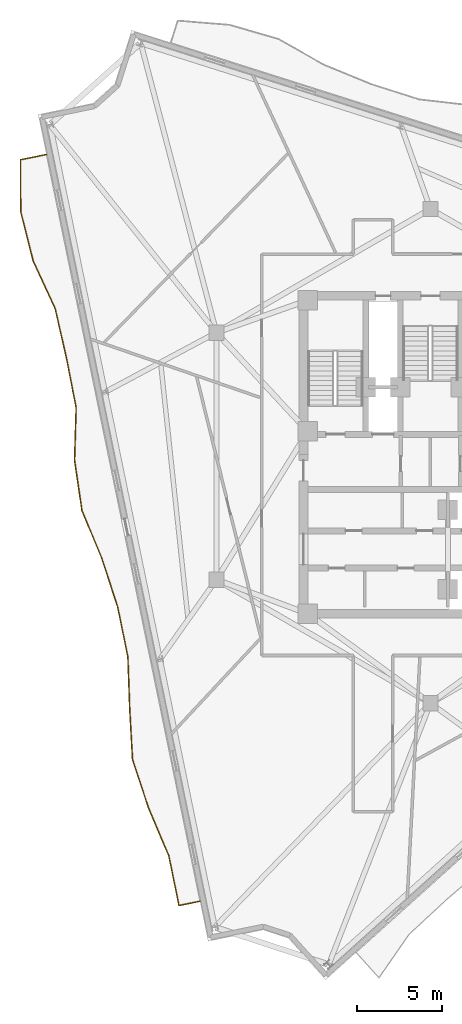
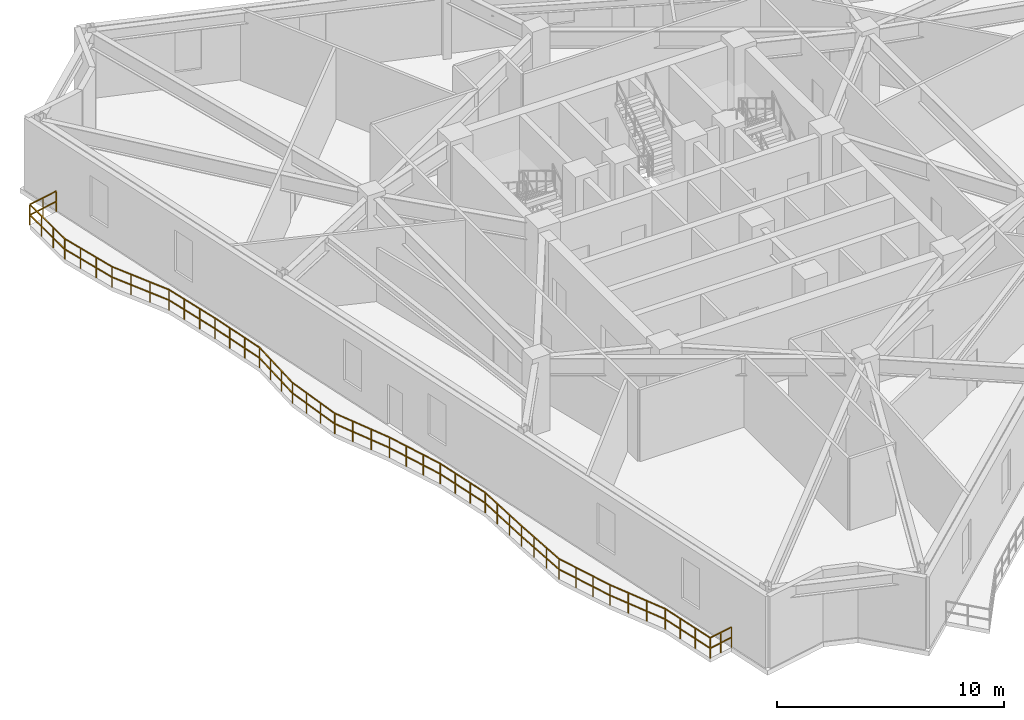
# One storey, part 9 of 12: 1 railing.
"""IFC4 building model written with IfcOpenShell, lengths in metres."""

from ifc_helpers import new_model, si_unit, direction, frame, origin, origin_2d, place, context, subcontext, project, spatial, rectangle, extrude, material, type_object, element, save


model = new_model("IFC4")

# Units and contexts
model_context = context("Model", 3, precision=1e-05, world=origin(), true_north=direction((0.0, 1.0)))
body_context = subcontext(model_context, "Body", "Model", "MODEL_VIEW")
ifc_project = project(units=[si_unit("LENGTHUNIT", "METRE"), si_unit("AREAUNIT", "SQUARE_METRE"), si_unit("VOLUMEUNIT", "CUBIC_METRE"), si_unit("PLANEANGLEUNIT", "RADIAN"), si_unit("MASSUNIT", "GRAM", prefix="KILO")], contexts=[model_context])

# Site, building, storey
site_placement = place(None, origin())
site = spatial("IfcSite", under=ifc_project, at=site_placement, CompositionType="ELEMENT")
building_placement = place(site_placement, origin())
building = spatial("IfcBuilding", under=site, at=building_placement, Name="Apsidion Concourse Tower", CompositionType="ELEMENT")
storey_placement = place(building_placement, frame((0.0, 0.0, 240.39990234375)))
storey = spatial("IfcBuildingStorey", under=building, at=storey_placement, Name="L56", CompositionType="ELEMENT", Elevation=240.39990234375)

# Railing
ifc_material = material(Name="Brushed stainless steel 316", Category="steel")
railing_type = type_object("IfcRailingType", Name="RL-BAL-1120", PredefinedType="BALUSTRADE", material=ifc_material)
railing_placement = place(storey_placement, frame((-13.5322265625, -26.12451171875, 0.0)))
element("IfcRailing", 1, at=railing_placement, inside=storey, type_object=railing_type, Name="L56 Face 1 Rippling Balcony Balustrade", PredefinedType="BALUSTRADE", context=body_context, shape_type="SweptSolid", body=[
    extrude(rectangle(XDim=0.048095703125, YDim=0.048095703125, at=origin_2d()), frame((0.0, 0.0, 1.09619140625), z_axis=(-0.979476326586, -0.201559236099, 0.0), x_axis=(0.201559236099, -0.979476326586, 0.0)), (0.0, 0.0, 1.0), 1.25),
    extrude(rectangle(XDim=0.048095703125, YDim=0.048095703125, at=origin_2d()), frame((0.0, 0.0, 0.5361328125), z_axis=(-0.979476326586, -0.201559236099, 0.0), x_axis=(0.201559236099, -0.979476326586, 0.0)), (0.0, 0.0, 1.0), 1.25),
    extrude(rectangle(XDim=0.048095703125, YDim=0.048095703125, at=origin_2d()), frame((-1.224365234375, -0.251953125, 1.09619140625), z_axis=(-0.201495889419, 0.979489360099, 0.0), x_axis=(-0.979489360099, -0.201495889419, 0.0)), (0.0, 0.0, 1.0), 2.983154296875),
    extrude(rectangle(XDim=0.048095703125, YDim=0.048095703125, at=origin_2d()), frame((-1.224365234375, -0.251953125, 0.5361328125), z_axis=(-0.201495889419, 0.979489360099, 0.0), x_axis=(-0.979489360099, -0.201495889419, 0.0)), (0.0, 0.0, 1.0), 2.983154296875),
    extrude(rectangle(XDim=0.048095703125, YDim=0.048095703125, at=origin_2d()), frame((-1.825439453125, 2.669921875, 1.09619140625), z_axis=(-0.390527179771, 0.920591397885, 0.0), x_axis=(-0.920591397885, -0.390527179771, 0.0)), (0.0, 0.0, 1.0), 3.042724609375),
    extrude(rectangle(XDim=0.048095703125, YDim=0.048095703125, at=origin_2d()), frame((-1.825439453125, 2.669921875, 0.5361328125), z_axis=(-0.390527179771, 0.920591397885, 0.0), x_axis=(-0.920591397885, -0.390527179771, 0.0)), (0.0, 0.0, 1.0), 3.042724609375),
    extrude(rectangle(XDim=0.048095703125, YDim=0.048095703125, at=origin_2d()), frame((-3.013671875, 5.470947265625, 1.09619140625), z_axis=(-0.313617157978, 0.949549513307, 0.0), x_axis=(-0.949549513307, -0.313617157978, 0.0)), (0.0, 0.0, 1.0), 3.00341796875),
    extrude(rectangle(XDim=0.048095703125, YDim=0.048095703125, at=origin_2d()), frame((-3.013671875, 5.470947265625, 0.5361328125), z_axis=(-0.313617157978, 0.949549513307, 0.0), x_axis=(-0.949549513307, -0.313617157978, 0.0)), (0.0, 0.0, 1.0), 3.00341796875),
    extrude(rectangle(XDim=0.048095703125, YDim=0.048095703125, at=origin_2d()), frame((-3.95556640625, 8.32275390625, 1.09619140625), z_axis=(-0.055044107679, 0.998483923861, 0.0), x_axis=(-0.998483923861, -0.055044107679, 0.0)), (0.0, 0.0, 1.0), 3.01611328125),
    extrude(rectangle(XDim=0.048095703125, YDim=0.048095703125, at=origin_2d()), frame((-3.95556640625, 8.32275390625, 0.5361328125), z_axis=(-0.055044107679, 0.998483923861, 0.0), x_axis=(-0.998483923861, -0.055044107679, 0.0)), (0.0, 0.0, 1.0), 3.01611328125),
    extrude(rectangle(XDim=0.048095703125, YDim=0.048095703125, at=origin_2d()), frame((-4.12158203125, 11.334228515625, 1.09619140625), z_axis=(-0.035429571599, 0.999372175646, 0.0), x_axis=(-0.999372175646, -0.035429571599, 0.0)), (0.0, 0.0, 1.0), 3.025146484375),
    extrude(rectangle(XDim=0.048095703125, YDim=0.048095703125, at=origin_2d()), frame((-4.12158203125, 11.334228515625, 0.5361328125), z_axis=(-0.035429571599, 0.999372175646, 0.0), x_axis=(-0.999372175646, -0.035429571599, 0.0)), (0.0, 0.0, 1.0), 3.025146484375),
    extrude(rectangle(XDim=0.048095703125, YDim=0.048095703125, at=origin_2d()), frame((-4.228759765625, 14.357421875, 1.09619140625), z_axis=(-0.201417367965, 0.979505509878, 0.0), x_axis=(-0.979505509878, -0.201417367965, 0.0)), (0.0, 0.0, 1.0), 2.98291015625),
    extrude(rectangle(XDim=0.048095703125, YDim=0.048095703125, at=origin_2d()), frame((-4.228759765625, 14.357421875, 0.5361328125), z_axis=(-0.201417367965, 0.979505509878, 0.0), x_axis=(-0.979505509878, -0.201417367965, 0.0)), (0.0, 0.0, 1.0), 2.98291015625),
    extrude(rectangle(XDim=0.048095703125, YDim=0.048095703125, at=origin_2d()), frame((-4.82958984375, 17.279296875, 1.09619140625), z_axis=(-0.309387661761, 0.950935999292, 0.0), x_axis=(-0.950935999292, -0.309387661761, 0.0)), (0.0, 0.0, 1.0), 3.001708984375),
    extrude(rectangle(XDim=0.048095703125, YDim=0.048095703125, at=origin_2d()), frame((-4.82958984375, 17.279296875, 0.5361328125), z_axis=(-0.309387661761, 0.950935999292, 0.0), x_axis=(-0.950935999292, -0.309387661761, 0.0)), (0.0, 0.0, 1.0), 3.001708984375),
    extrude(rectangle(XDim=0.048095703125, YDim=0.048095703125, at=origin_2d()), frame((-5.75830078125, 20.1337890625, 1.09619140625), z_axis=(-0.383702270637, 0.923456857416, 0.0), x_axis=(-0.923456857416, -0.383702270637, 0.0)), (0.0, 0.0, 1.0), 3.038330078125),
    extrude(rectangle(XDim=0.048095703125, YDim=0.048095703125, at=origin_2d()), frame((-5.75830078125, 20.1337890625, 0.5361328125), z_axis=(-0.383702270637, 0.923456857416, 0.0), x_axis=(-0.923456857416, -0.383702270637, 0.0)), (0.0, 0.0, 1.0), 3.038330078125),
    extrude(rectangle(XDim=0.048095703125, YDim=0.048095703125, at=origin_2d()), frame((-6.924072265625, 22.939453125, 1.09619140625), z_axis=(-0.145195240892, 0.989403023051, 0.0), x_axis=(-0.989403023051, -0.145195240892, 0.0)), (0.0, 0.0, 1.0), 2.988037109375),
    extrude(rectangle(XDim=0.048095703125, YDim=0.048095703125, at=origin_2d()), frame((-6.924072265625, 22.939453125, 0.5361328125), z_axis=(-0.145195240892, 0.989403023051, 0.0), x_axis=(-0.989403023051, -0.145195240892, 0.0)), (0.0, 0.0, 1.0), 2.988037109375),
    extrude(rectangle(XDim=0.048095703125, YDim=0.048095703125, at=origin_2d()), frame((-7.35791015625, 25.895751953125, 1.09619140625), z_axis=(0.030655544747, 0.999530008342, 0.0), x_axis=(-0.999530008342, 0.030655544747, 0.0)), (0.0, 0.0, 1.0), 3.066162109375),
    extrude(rectangle(XDim=0.048095703125, YDim=0.048095703125, at=origin_2d()), frame((-7.35791015625, 25.895751953125, 0.5361328125), z_axis=(0.030655544747, 0.999530008342, 0.0), x_axis=(-0.999530008342, 0.030655544747, 0.0)), (0.0, 0.0, 1.0), 3.066162109375),
    extrude(rectangle(XDim=0.048095703125, YDim=0.048095703125, at=origin_2d()), frame((-7.263916015625, 28.96044921875, 1.09619140625), z_axis=(-0.191093082606, 0.98157191982, 0.0), x_axis=(-0.98157191982, -0.191093082606, 0.0)), (0.0, 0.0, 1.0), 2.983154296875),
    extrude(rectangle(XDim=0.048095703125, YDim=0.048095703125, at=origin_2d()), frame((-7.263916015625, 28.96044921875, 0.5361328125), z_axis=(-0.191093082606, 0.98157191982, 0.0), x_axis=(-0.98157191982, -0.191093082606, 0.0)), (0.0, 0.0, 1.0), 2.983154296875),
    extrude(rectangle(XDim=0.048095703125, YDim=0.048095703125, at=origin_2d()), frame((-7.833984375, 31.888671875, 1.09619140625), z_axis=(-0.222151558946, 0.975012146005, 0.0), x_axis=(-0.975012146005, -0.222151558946, 0.0)), (0.0, 0.0, 1.0), 2.983642578125),
    extrude(rectangle(XDim=0.048095703125, YDim=0.048095703125, at=origin_2d()), frame((-7.833984375, 31.888671875, 0.5361328125), z_axis=(-0.222151558946, 0.975012146005, 0.0), x_axis=(-0.975012146005, -0.222151558946, 0.0)), (0.0, 0.0, 1.0), 2.983642578125),
    extrude(rectangle(XDim=0.048095703125, YDim=0.048095703125, at=origin_2d()), frame((-8.496826171875, 34.7978515625, 1.09619140625), z_axis=(-0.420568183415, 0.907260934406, 0.0), x_axis=(-0.907260934406, -0.420568183415, 0.0)), (0.0, 0.0, 1.0), 3.064453125),
    extrude(rectangle(XDim=0.048095703125, YDim=0.048095703125, at=origin_2d()), frame((-8.496826171875, 34.7978515625, 0.5361328125), z_axis=(-0.420568183415, 0.907260934406, 0.0), x_axis=(-0.907260934406, -0.420568183415, 0.0)), (0.0, 0.0, 1.0), 3.064453125),
    extrude(rectangle(XDim=0.048095703125, YDim=0.048095703125, at=origin_2d()), frame((-9.78564453125, 37.578125, 1.09619140625), z_axis=(-0.244939453332, 0.969538376858, 0.0), x_axis=(-0.969538376858, -0.244939453332, 0.0)), (0.0, 0.0, 1.0), 2.986328125),
    extrude(rectangle(XDim=0.048095703125, YDim=0.048095703125, at=origin_2d()), frame((-9.78564453125, 37.578125, 0.5361328125), z_axis=(-0.244939453332, 0.969538376858, 0.0), x_axis=(-0.969538376858, -0.244939453332, 0.0)), (0.0, 0.0, 1.0), 2.986328125),
    extrude(rectangle(XDim=0.048095703125, YDim=0.048095703125, at=origin_2d()), frame((-10.51708984375, 40.473388671875, 1.09619140625), z_axis=(-0.004654098206, 0.999989169626, 0.0), x_axis=(-0.999989169626, -0.004654098206, 0.0)), (0.0, 0.0, 1.0), 3.04248046875),
    extrude(rectangle(XDim=0.048095703125, YDim=0.048095703125, at=origin_2d()), frame((-10.51708984375, 40.473388671875, 0.5361328125), z_axis=(-0.004654098206, 0.999989169626, 0.0), x_axis=(-0.999989169626, -0.004654098206, 0.0)), (0.0, 0.0, 1.0), 3.04248046875),
    extrude(rectangle(XDim=0.048095703125, YDim=0.048095703125, at=origin_2d()), frame((-10.53125, 43.515869140625, 1.09619140625), z_axis=(0.979493630559, 0.201475129219, 0.0), x_axis=(-0.201475129219, 0.979493630559, 0.0)), (0.0, 0.0, 1.0), 1.5498046875),
    extrude(rectangle(XDim=0.048095703125, YDim=0.048095703125, at=origin_2d()), frame((-10.53125, 43.515869140625, 0.5361328125), z_axis=(0.979493630559, 0.201475129219, 0.0), x_axis=(-0.201475129219, 0.979493630559, 0.0)), (0.0, 0.0, 1.0), 1.5498046875),
    extrude(rectangle(XDim=0.0419921875, YDim=0.0419921875, at=origin_2d()), origin(), (0.0, 0.0, 1.0), 1.072021484375),
    extrude(rectangle(XDim=0.0419921875, YDim=0.0419921875, at=origin_2d()), frame((-0.6123046875, -0.1259765625, 0.0)), (0.0, 0.0, 1.0), 1.072021484375),
    extrude(rectangle(XDim=0.0419921875, YDim=0.0419921875, at=origin_2d()), frame((-1.224365234375, -0.251953125, 0.0)), (0.0, 0.0, 1.0), 1.072021484375),
    extrude(rectangle(XDim=0.0419921875, YDim=0.0419921875, at=origin_2d()), frame((-1.4248046875, 0.721923828125, 0.0)), (0.0, 0.0, 1.0), 1.072021484375),
    extrude(rectangle(XDim=0.0419921875, YDim=0.0419921875, at=origin_2d()), frame((-1.625, 1.696044921875, 0.0)), (0.0, 0.0, 1.0), 1.072021484375),
    extrude(rectangle(XDim=0.0419921875, YDim=0.0419921875, at=origin_2d()), frame((-1.825439453125, 2.669921875, 0.0)), (0.0, 0.0, 1.0), 1.072021484375),
    extrude(rectangle(XDim=0.0419921875, YDim=0.0419921875, at=origin_2d()), frame((-2.221435546875, 3.603515625, 0.0)), (0.0, 0.0, 1.0), 1.072021484375),
    extrude(rectangle(XDim=0.0419921875, YDim=0.0419921875, at=origin_2d()), frame((-2.61767578125, 4.537353515625, 0.0)), (0.0, 0.0, 1.0), 1.072021484375),
    extrude(rectangle(XDim=0.0419921875, YDim=0.0419921875, at=origin_2d()), frame((-3.013671875, 5.470947265625, 0.0)), (0.0, 0.0, 1.0), 1.072021484375),
    extrude(rectangle(XDim=0.0419921875, YDim=0.0419921875, at=origin_2d()), frame((-3.32763671875, 6.421630859375, 0.0)), (0.0, 0.0, 1.0), 1.072021484375),
    extrude(rectangle(XDim=0.0419921875, YDim=0.0419921875, at=origin_2d()), frame((-3.6416015625, 7.3720703125, 0.0)), (0.0, 0.0, 1.0), 1.072021484375),
    extrude(rectangle(XDim=0.0419921875, YDim=0.0419921875, at=origin_2d()), frame((-3.95556640625, 8.32275390625, 0.0)), (0.0, 0.0, 1.0), 1.072021484375),
    extrude(rectangle(XDim=0.0419921875, YDim=0.0419921875, at=origin_2d()), frame((-4.010986328125, 9.32666015625, 0.0)), (0.0, 0.0, 1.0), 1.072021484375),
    extrude(rectangle(XDim=0.0419921875, YDim=0.0419921875, at=origin_2d()), frame((-4.066162109375, 10.330322265625, 0.0)), (0.0, 0.0, 1.0), 1.072021484375),
    extrude(rectangle(XDim=0.0419921875, YDim=0.0419921875, at=origin_2d()), frame((-4.12158203125, 11.334228515625, 0.0)), (0.0, 0.0, 1.0), 1.072021484375),
    extrude(rectangle(XDim=0.0419921875, YDim=0.0419921875, at=origin_2d()), frame((-4.1572265625, 12.342041015625, 0.0)), (0.0, 0.0, 1.0), 1.072021484375),
    extrude(rectangle(XDim=0.0419921875, YDim=0.0419921875, at=origin_2d()), frame((-4.193115234375, 13.349609375, 0.0)), (0.0, 0.0, 1.0), 1.072021484375),
    extrude(rectangle(XDim=0.0419921875, YDim=0.0419921875, at=origin_2d()), frame((-4.228759765625, 14.357421875, 0.0)), (0.0, 0.0, 1.0), 1.072021484375),
    extrude(rectangle(XDim=0.0419921875, YDim=0.0419921875, at=origin_2d()), frame((-4.428955078125, 15.331298828125, 0.0)), (0.0, 0.0, 1.0), 1.072021484375),
    extrude(rectangle(XDim=0.0419921875, YDim=0.0419921875, at=origin_2d()), frame((-4.62939453125, 16.305419921875, 0.0)), (0.0, 0.0, 1.0), 1.072021484375),
    extrude(rectangle(XDim=0.0419921875, YDim=0.0419921875, at=origin_2d()), frame((-4.82958984375, 17.279296875, 0.0)), (0.0, 0.0, 1.0), 1.072021484375),
    extrude(rectangle(XDim=0.0419921875, YDim=0.0419921875, at=origin_2d()), frame((-5.13916015625, 18.230712890625, 0.0)), (0.0, 0.0, 1.0), 1.072021484375),
    extrude(rectangle(XDim=0.0419921875, YDim=0.0419921875, at=origin_2d()), frame((-5.44873046875, 19.182373046875, 0.0)), (0.0, 0.0, 1.0), 1.072021484375),
    extrude(rectangle(XDim=0.0419921875, YDim=0.0419921875, at=origin_2d()), frame((-5.75830078125, 20.1337890625, 0.0)), (0.0, 0.0, 1.0), 1.072021484375),
    extrude(rectangle(XDim=0.0419921875, YDim=0.0419921875, at=origin_2d()), frame((-6.14697265625, 21.069091796875, 0.0)), (0.0, 0.0, 1.0), 1.072021484375),
    extrude(rectangle(XDim=0.0419921875, YDim=0.0419921875, at=origin_2d()), frame((-6.535400390625, 22.004150390625, 0.0)), (0.0, 0.0, 1.0), 1.072021484375),
    extrude(rectangle(XDim=0.0419921875, YDim=0.0419921875, at=origin_2d()), frame((-6.924072265625, 22.939453125, 0.0)), (0.0, 0.0, 1.0), 1.072021484375),
    extrude(rectangle(XDim=0.0419921875, YDim=0.0419921875, at=origin_2d()), frame((-7.068603515625, 23.9248046875, 0.0)), (0.0, 0.0, 1.0), 1.072021484375),
    extrude(rectangle(XDim=0.0419921875, YDim=0.0419921875, at=origin_2d()), frame((-7.21337890625, 24.910400390625, 0.0)), (0.0, 0.0, 1.0), 1.072021484375),
    extrude(rectangle(XDim=0.0419921875, YDim=0.0419921875, at=origin_2d()), frame((-7.35791015625, 25.895751953125, 0.0)), (0.0, 0.0, 1.0), 1.072021484375),
    extrude(rectangle(XDim=0.0419921875, YDim=0.0419921875, at=origin_2d()), frame((-7.32666015625, 26.917236328125, 0.0)), (0.0, 0.0, 1.0), 1.072021484375),
    extrude(rectangle(XDim=0.0419921875, YDim=0.0419921875, at=origin_2d()), frame((-7.295166015625, 27.93896484375, 0.0)), (0.0, 0.0, 1.0), 1.072021484375),
    extrude(rectangle(XDim=0.0419921875, YDim=0.0419921875, at=origin_2d()), frame((-7.263916015625, 28.96044921875, 0.0)), (0.0, 0.0, 1.0), 1.072021484375),
    extrude(rectangle(XDim=0.0419921875, YDim=0.0419921875, at=origin_2d()), frame((-7.453857421875, 29.9365234375, 0.0)), (0.0, 0.0, 1.0), 1.072021484375),
    extrude(rectangle(XDim=0.0419921875, YDim=0.0419921875, at=origin_2d()), frame((-7.64404296875, 30.91259765625, 0.0)), (0.0, 0.0, 1.0), 1.072021484375),
    extrude(rectangle(XDim=0.0419921875, YDim=0.0419921875, at=origin_2d()), frame((-7.833984375, 31.888671875, 0.0)), (0.0, 0.0, 1.0), 1.072021484375),
    extrude(rectangle(XDim=0.0419921875, YDim=0.0419921875, at=origin_2d()), frame((-8.054931640625, 32.8583984375, 0.0)), (0.0, 0.0, 1.0), 1.072021484375),
    extrude(rectangle(XDim=0.0419921875, YDim=0.0419921875, at=origin_2d()), frame((-8.27587890625, 33.828125, 0.0)), (0.0, 0.0, 1.0), 1.072021484375),
    extrude(rectangle(XDim=0.0419921875, YDim=0.0419921875, at=origin_2d()), frame((-8.496826171875, 34.7978515625, 0.0)), (0.0, 0.0, 1.0), 1.072021484375),
    extrude(rectangle(XDim=0.0419921875, YDim=0.0419921875, at=origin_2d()), frame((-8.926513671875, 35.724609375, 0.0)), (0.0, 0.0, 1.0), 1.072021484375),
    extrude(rectangle(XDim=0.0419921875, YDim=0.0419921875, at=origin_2d()), frame((-9.35595703125, 36.6513671875, 0.0)), (0.0, 0.0, 1.0), 1.072021484375),
    extrude(rectangle(XDim=0.0419921875, YDim=0.0419921875, at=origin_2d()), frame((-9.78564453125, 37.578125, 0.0)), (0.0, 0.0, 1.0), 1.072021484375),
    extrude(rectangle(XDim=0.0419921875, YDim=0.0419921875, at=origin_2d()), frame((-10.029541015625, 38.543212890625, 0.0)), (0.0, 0.0, 1.0), 1.072021484375),
    extrude(rectangle(XDim=0.0419921875, YDim=0.0419921875, at=origin_2d()), frame((-10.273193359375, 39.50830078125, 0.0)), (0.0, 0.0, 1.0), 1.072021484375),
    extrude(rectangle(XDim=0.0419921875, YDim=0.0419921875, at=origin_2d()), frame((-10.51708984375, 40.473388671875, 0.0)), (0.0, 0.0, 1.0), 1.072021484375),
    extrude(rectangle(XDim=0.0419921875, YDim=0.0419921875, at=origin_2d()), frame((-10.521728515625, 41.487548828125, 0.0)), (0.0, 0.0, 1.0), 1.072021484375),
    extrude(rectangle(XDim=0.0419921875, YDim=0.0419921875, at=origin_2d()), frame((-10.526611328125, 42.501708984375, 0.0)), (0.0, 0.0, 1.0), 1.072021484375),
    extrude(rectangle(XDim=0.0419921875, YDim=0.0419921875, at=origin_2d()), frame((-10.53125, 43.515869140625, 0.0)), (0.0, 0.0, 1.0), 1.072021484375),
    extrude(rectangle(XDim=0.0419921875, YDim=0.0419921875, at=origin_2d()), frame((-9.772216796875, 43.671875, 0.0)), (0.0, 0.0, 1.0), 1.072021484375),
    extrude(rectangle(XDim=0.0419921875, YDim=0.0419921875, at=origin_2d()), frame((-9.01318359375, 43.828125, 0.0)), (0.0, 0.0, 1.0), 1.072021484375),
])

save(model, "model.ifc")
